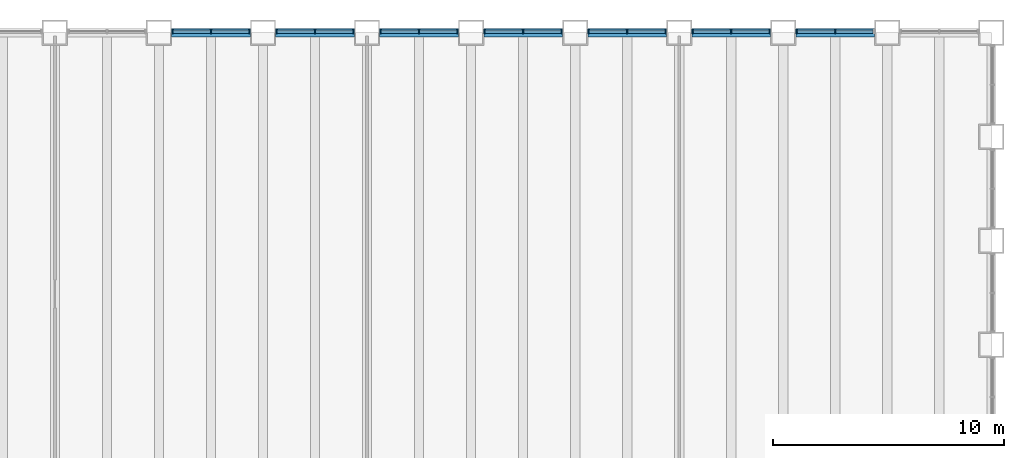
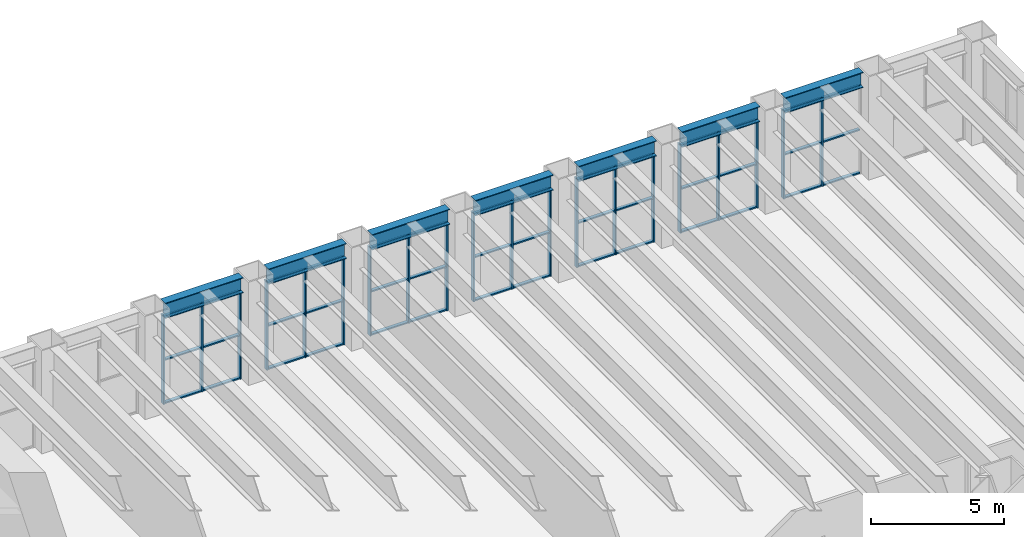
# One storey, part 4 of 19: 62 members, 7 beams, 7 elements without a shape of their own.
"""IFC4 building model written with IfcOpenShell, lengths in metres."""

from ifc_helpers import new_model, si_unit, direction, frame, origin, origin_2d, place, context, subcontext, project, spatial, rectangle, i_section, extrude, material, material_profile, profile_set, type_object, element, aggregate, save


model = new_model("IFC4")

# Units and contexts
model_context = context("Model", 3, precision=1e-05, world=origin(), true_north=direction((0.0, 1.0)))
body_context = subcontext(model_context, "Body", "Model", "MODEL_VIEW")
ifc_project = project(units=[si_unit("LENGTHUNIT", "METRE"), si_unit("AREAUNIT", "SQUARE_METRE"), si_unit("VOLUMEUNIT", "CUBIC_METRE"), si_unit("PLANEANGLEUNIT", "RADIAN"), si_unit("MASSUNIT", "GRAM", prefix="KILO")], contexts=[model_context])

# Site, building, storey
site_placement = place(None, origin())
site = spatial("IfcSite", under=ifc_project, at=site_placement, CompositionType="ELEMENT")
building_placement = place(site_placement, origin())
building = spatial("IfcBuilding", under=site, at=building_placement, Name="Sennacour Bend Tower", CompositionType="ELEMENT")
storey_placement = place(building_placement, frame((0.0, 0.0, 19.0)))
storey = spatial("IfcBuildingStorey", under=building, at=storey_placement, Name="L03", CompositionType="ELEMENT", Elevation=19.0)

# Curtain wall, members
ifc_material_1 = material(Name="Bronze anodised aluminium curtain wall with clear glass", Category="aluminium")
curtain_wall_type = type_object("IfcCurtainWallType", Name="CURTAIN WALL NOTCH", PredefinedType="NOTDEFINED", material=ifc_material_1)
curtain_wall_1_placement = place(storey_placement, origin())
curtain_wall_1 = element("IfcCurtainWall", 1, at=curtain_wall_1_placement, inside=storey, type_object=curtain_wall_type, Name="Podium glass wall L03", PredefinedType="NOTDEFINED")
ifc_material_2 = material(Name="Aluminium 6063-T6", Category="aluminium")
ifc_material_profile_1 = material_profile(ifc_material_2, rectangle(XDim=0.199951171875, YDim=0.06005859375, at=origin_2d()), Name="Aluminium 6063-T6", Category="aluminium")
ifc_profile_set_1 = profile_set([ifc_material_profile_1], Name="Aluminium 6063-T6")
member_type_1 = type_object("IfcMemberType", Name="CW-MULLION-200X60", PredefinedType="MULLION", material=ifc_profile_set_1)
member_1_placement = place(storey_placement, frame((60.75, 49.550048828125, 0.0), z_axis=(0.0, 0.0, 1.0), x_axis=(0.0, -1.0, 0.0)))
member_1 = element("IfcMember", 2, at=member_1_placement, type_object=member_type_1, Name="GW2 curtain wall mullion 2", PredefinedType="MULLION", context=body_context, shape_type="SweptSolid", body=[
    extrude(rectangle(XDim=0.199951171875, YDim=0.06005859375, at=origin_2d()), origin(), (0.0, 0.0, 1.0), 4.035888671875),
])
member_2_placement = place(storey_placement, frame((59.080078125, 49.550048828125, 0.0), z_axis=(0.0, 0.0, 1.0), x_axis=(0.0, -1.0, 0.0)))
member_2 = element("IfcMember", 3, at=member_2_placement, type_object=member_type_1, Name="GW2 curtain wall mullion 3", PredefinedType="MULLION", context=body_context, shape_type="SweptSolid", body=[
    extrude(rectangle(XDim=0.199951171875, YDim=0.06005859375, at=origin_2d()), origin(), (0.0, 0.0, 1.0), 4.035888671875),
])

curtain_wall_2_placement = place(storey_placement, origin())
curtain_wall_2 = element("IfcCurtainWall", 4, at=curtain_wall_2_placement, inside=storey, type_object=curtain_wall_type, Name="Podium glass wall L03", PredefinedType="NOTDEFINED")
member_3_placement = place(storey_placement, frame((57.919921875, 49.550048828125, 0.0), z_axis=(0.0, 0.0, 1.0), x_axis=(0.0, -1.0, 0.0)))
member_3 = element("IfcMember", 5, at=member_3_placement, type_object=member_type_1, Name="GW2 curtain wall mullion 1", PredefinedType="MULLION", context=body_context, shape_type="SweptSolid", body=[
    extrude(rectangle(XDim=0.199951171875, YDim=0.06005859375, at=origin_2d()), origin(), (0.0, 0.0, 1.0), 4.035888671875),
])
member_4_placement = place(storey_placement, frame((56.25, 49.550048828125, 0.0), z_axis=(0.0, 0.0, 1.0), x_axis=(0.0, -1.0, 0.0)))
member_4 = element("IfcMember", 6, at=member_4_placement, type_object=member_type_1, Name="GW2 curtain wall mullion 2", PredefinedType="MULLION", context=body_context, shape_type="SweptSolid", body=[
    extrude(rectangle(XDim=0.199951171875, YDim=0.06005859375, at=origin_2d()), origin(), (0.0, 0.0, 1.0), 4.035888671875),
])
member_5_placement = place(storey_placement, frame((54.580078125, 49.550048828125, 0.0), z_axis=(0.0, 0.0, 1.0), x_axis=(0.0, -1.0, 0.0)))
member_5 = element("IfcMember", 7, at=member_5_placement, type_object=member_type_1, Name="GW2 curtain wall mullion 3", PredefinedType="MULLION", context=body_context, shape_type="SweptSolid", body=[
    extrude(rectangle(XDim=0.199951171875, YDim=0.06005859375, at=origin_2d()), origin(), (0.0, 0.0, 1.0), 4.035888671875),
])

curtain_wall_3_placement = place(storey_placement, origin())
curtain_wall_3 = element("IfcCurtainWall", 8, at=curtain_wall_3_placement, inside=storey, type_object=curtain_wall_type, Name="Podium glass wall L03", PredefinedType="NOTDEFINED")
member_6_placement = place(storey_placement, frame((53.419921875, 49.550048828125, 0.0), z_axis=(0.0, 0.0, 1.0), x_axis=(0.0, -1.0, 0.0)))
member_6 = element("IfcMember", 9, at=member_6_placement, type_object=member_type_1, Name="GW2 curtain wall mullion 1", PredefinedType="MULLION", context=body_context, shape_type="SweptSolid", body=[
    extrude(rectangle(XDim=0.199951171875, YDim=0.06005859375, at=origin_2d()), origin(), (0.0, 0.0, 1.0), 4.035888671875),
])
member_7_placement = place(storey_placement, frame((51.75, 49.550048828125, 0.0), z_axis=(0.0, 0.0, 1.0), x_axis=(0.0, -1.0, 0.0)))
member_7 = element("IfcMember", 10, at=member_7_placement, type_object=member_type_1, Name="GW2 curtain wall mullion 2", PredefinedType="MULLION", context=body_context, shape_type="SweptSolid", body=[
    extrude(rectangle(XDim=0.199951171875, YDim=0.06005859375, at=origin_2d()), origin(), (0.0, 0.0, 1.0), 4.035888671875),
])
member_8_placement = place(storey_placement, frame((50.080078125, 49.550048828125, 0.0), z_axis=(0.0, 0.0, 1.0), x_axis=(0.0, -1.0, 0.0)))
member_8 = element("IfcMember", 11, at=member_8_placement, type_object=member_type_1, Name="GW2 curtain wall mullion 3", PredefinedType="MULLION", context=body_context, shape_type="SweptSolid", body=[
    extrude(rectangle(XDim=0.199951171875, YDim=0.06005859375, at=origin_2d()), origin(), (0.0, 0.0, 1.0), 4.035888671875),
])

curtain_wall_4_placement = place(storey_placement, origin())
curtain_wall_4 = element("IfcCurtainWall", 12, at=curtain_wall_4_placement, inside=storey, type_object=curtain_wall_type, Name="Podium glass wall L03", PredefinedType="NOTDEFINED")
member_9_placement = place(storey_placement, frame((48.919921875, 49.550048828125, 0.0), z_axis=(0.0, 0.0, 1.0), x_axis=(0.0, -1.0, 0.0)))
member_9 = element("IfcMember", 13, at=member_9_placement, type_object=member_type_1, Name="GW2 curtain wall mullion 1", PredefinedType="MULLION", context=body_context, shape_type="SweptSolid", body=[
    extrude(rectangle(XDim=0.199951171875, YDim=0.06005859375, at=origin_2d()), origin(), (0.0, 0.0, 1.0), 4.035888671875),
])
member_10_placement = place(storey_placement, frame((47.25, 49.550048828125, 0.0), z_axis=(0.0, 0.0, 1.0), x_axis=(0.0, -1.0, 0.0)))
member_10 = element("IfcMember", 14, at=member_10_placement, type_object=member_type_1, Name="GW2 curtain wall mullion 2", PredefinedType="MULLION", context=body_context, shape_type="SweptSolid", body=[
    extrude(rectangle(XDim=0.199951171875, YDim=0.06005859375, at=origin_2d()), origin(), (0.0, 0.0, 1.0), 4.035888671875),
])
member_11_placement = place(storey_placement, frame((45.580078125, 49.550048828125, 0.0), z_axis=(0.0, 0.0, 1.0), x_axis=(0.0, -1.0, 0.0)))
member_11 = element("IfcMember", 15, at=member_11_placement, type_object=member_type_1, Name="GW2 curtain wall mullion 3", PredefinedType="MULLION", context=body_context, shape_type="SweptSolid", body=[
    extrude(rectangle(XDim=0.199951171875, YDim=0.06005859375, at=origin_2d()), origin(), (0.0, 0.0, 1.0), 4.035888671875),
])

curtain_wall_5_placement = place(storey_placement, origin())
curtain_wall_5 = element("IfcCurtainWall", 16, at=curtain_wall_5_placement, inside=storey, type_object=curtain_wall_type, Name="Podium glass wall L03", PredefinedType="NOTDEFINED")
member_12_placement = place(storey_placement, frame((44.419921875, 49.550048828125, 0.0), z_axis=(0.0, 0.0, 1.0), x_axis=(0.0, -1.0, 0.0)))
member_12 = element("IfcMember", 17, at=member_12_placement, type_object=member_type_1, Name="GW2 curtain wall mullion 1", PredefinedType="MULLION", context=body_context, shape_type="SweptSolid", body=[
    extrude(rectangle(XDim=0.199951171875, YDim=0.06005859375, at=origin_2d()), origin(), (0.0, 0.0, 1.0), 4.035888671875),
])
member_13_placement = place(storey_placement, frame((42.75, 49.550048828125, 0.0), z_axis=(0.0, 0.0, 1.0), x_axis=(0.0, -1.0, 0.0)))
member_13 = element("IfcMember", 18, at=member_13_placement, type_object=member_type_1, Name="GW2 curtain wall mullion 2", PredefinedType="MULLION", context=body_context, shape_type="SweptSolid", body=[
    extrude(rectangle(XDim=0.199951171875, YDim=0.06005859375, at=origin_2d()), origin(), (0.0, 0.0, 1.0), 4.035888671875),
])
member_14_placement = place(storey_placement, frame((41.080078125, 49.550048828125, 0.0), z_axis=(0.0, 0.0, 1.0), x_axis=(0.0, -1.0, 0.0)))
member_14 = element("IfcMember", 19, at=member_14_placement, type_object=member_type_1, Name="GW2 curtain wall mullion 3", PredefinedType="MULLION", context=body_context, shape_type="SweptSolid", body=[
    extrude(rectangle(XDim=0.199951171875, YDim=0.06005859375, at=origin_2d()), origin(), (0.0, 0.0, 1.0), 4.035888671875),
])

curtain_wall_6_placement = place(storey_placement, origin())
curtain_wall_6 = element("IfcCurtainWall", 20, at=curtain_wall_6_placement, inside=storey, type_object=curtain_wall_type, Name="Podium glass wall L03", PredefinedType="NOTDEFINED")
member_15_placement = place(storey_placement, frame((39.919921875, 49.550048828125, 0.0), z_axis=(0.0, 0.0, 1.0), x_axis=(0.0, -1.0, 0.0)))
member_15 = element("IfcMember", 21, at=member_15_placement, type_object=member_type_1, Name="GW2 curtain wall mullion 1", PredefinedType="MULLION", context=body_context, shape_type="SweptSolid", body=[
    extrude(rectangle(XDim=0.199951171875, YDim=0.06005859375, at=origin_2d()), origin(), (0.0, 0.0, 1.0), 4.035888671875),
])
member_16_placement = place(storey_placement, frame((38.25, 49.550048828125, 0.0), z_axis=(0.0, 0.0, 1.0), x_axis=(0.0, -1.0, 0.0)))
member_16 = element("IfcMember", 22, at=member_16_placement, type_object=member_type_1, Name="GW2 curtain wall mullion 2", PredefinedType="MULLION", context=body_context, shape_type="SweptSolid", body=[
    extrude(rectangle(XDim=0.199951171875, YDim=0.06005859375, at=origin_2d()), origin(), (0.0, 0.0, 1.0), 4.035888671875),
])
member_17_placement = place(storey_placement, frame((36.580078125, 49.550048828125, 0.0), z_axis=(0.0, 0.0, 1.0), x_axis=(0.0, -1.0, 0.0)))
member_17 = element("IfcMember", 23, at=member_17_placement, type_object=member_type_1, Name="GW2 curtain wall mullion 3", PredefinedType="MULLION", context=body_context, shape_type="SweptSolid", body=[
    extrude(rectangle(XDim=0.199951171875, YDim=0.06005859375, at=origin_2d()), origin(), (0.0, 0.0, 1.0), 4.035888671875),
])

curtain_wall_7_placement = place(storey_placement, origin())
curtain_wall_7 = element("IfcCurtainWall", 24, at=curtain_wall_7_placement, inside=storey, type_object=curtain_wall_type, Name="Podium glass wall L03", PredefinedType="NOTDEFINED")
member_18_placement = place(storey_placement, frame((35.419921875, 49.550048828125, 0.0), z_axis=(0.0, 0.0, 1.0), x_axis=(0.0, -1.0, 0.0)))
member_18 = element("IfcMember", 25, at=member_18_placement, type_object=member_type_1, Name="GW2 curtain wall mullion 1", PredefinedType="MULLION", context=body_context, shape_type="SweptSolid", body=[
    extrude(rectangle(XDim=0.199951171875, YDim=0.06005859375, at=origin_2d()), origin(), (0.0, 0.0, 1.0), 4.035888671875),
])
member_19_placement = place(storey_placement, frame((33.75, 49.550048828125, 0.0), z_axis=(0.0, 0.0, 1.0), x_axis=(0.0, -1.0, 0.0)))
member_19 = element("IfcMember", 26, at=member_19_placement, type_object=member_type_1, Name="GW2 curtain wall mullion 2", PredefinedType="MULLION", context=body_context, shape_type="SweptSolid", body=[
    extrude(rectangle(XDim=0.199951171875, YDim=0.06005859375, at=origin_2d()), origin(), (0.0, 0.0, 1.0), 4.035888671875),
])
member_20_placement = place(storey_placement, frame((32.080078125, 49.550048828125, 0.0), z_axis=(0.0, 0.0, 1.0), x_axis=(0.0, -1.0, 0.0)))
member_20 = element("IfcMember", 27, at=member_20_placement, type_object=member_type_1, Name="GW2 curtain wall mullion 3", PredefinedType="MULLION", context=body_context, shape_type="SweptSolid", body=[
    extrude(rectangle(XDim=0.199951171875, YDim=0.06005859375, at=origin_2d()), origin(), (0.0, 0.0, 1.0), 4.035888671875),
])

# Member
ifc_material_profile_2 = material_profile(ifc_material_2, rectangle(XDim=0.14990234375, YDim=0.06005859375, at=origin_2d()), Name="Aluminium 6063-T6", Category="aluminium")
ifc_profile_set_2 = profile_set([ifc_material_profile_2], Name="Aluminium 6063-T6")
member_type_2 = type_object("IfcMemberType", Name="CW-TRANSOM-150X60", PredefinedType="USERDEFINED", material=ifc_profile_set_2)
member_21_placement = place(storey_placement, frame((62.389892578125, 49.550048828125, 0.030029296875), z_axis=(-1.0, 0.0, 0.0), x_axis=(0.0, -1.0, 0.0)))
member_21 = element("IfcMember", 28, at=member_21_placement, type_object=member_type_2, Name="GW2 curtain wall transom 1.1", ObjectType="TRANSOM", PredefinedType="USERDEFINED", context=body_context, shape_type="SweptSolid", body=[
    extrude(rectangle(XDim=0.14990234375, YDim=0.06005859375, at=origin_2d()), origin(), (0.0, 0.0, 1.0), 1.60986328125),
])

member_22_placement = place(storey_placement, frame((62.389892578125, 49.550048828125, 2.01806640625), z_axis=(-1.0, 0.0, 0.0), x_axis=(0.0, -1.0, 0.0)))
member_22 = element("IfcMember", 29, at=member_22_placement, type_object=member_type_2, Name="GW2 curtain wall transom 1.2", ObjectType="TRANSOM", PredefinedType="USERDEFINED", context=body_context, shape_type="SweptSolid", body=[
    extrude(rectangle(XDim=0.14990234375, YDim=0.06005859375, at=origin_2d()), origin(), (0.0, 0.0, 1.0), 1.60986328125),
])

member_23_placement = place(storey_placement, frame((62.389892578125, 49.550048828125, 4.006103515625), z_axis=(-1.0, 0.0, 0.0), x_axis=(0.0, -1.0, 0.0)))
member_23 = element("IfcMember", 30, at=member_23_placement, type_object=member_type_2, Name="GW2 curtain wall transom 1.3", ObjectType="TRANSOM", PredefinedType="USERDEFINED", context=body_context, shape_type="SweptSolid", body=[
    extrude(rectangle(XDim=0.14990234375, YDim=0.06005859375, at=origin_2d()), origin(), (0.0, 0.0, 1.0), 1.60986328125),
])

member_24_placement = place(storey_placement, frame((60.719970703125, 49.550048828125, 0.030029296875), z_axis=(-1.0, 0.0, 0.0), x_axis=(0.0, -1.0, 0.0)))
member_24 = element("IfcMember", 31, at=member_24_placement, type_object=member_type_2, Name="GW2 curtain wall transom 2.1", ObjectType="TRANSOM", PredefinedType="USERDEFINED", context=body_context, shape_type="SweptSolid", body=[
    extrude(rectangle(XDim=0.14990234375, YDim=0.06005859375, at=origin_2d()), origin(), (0.0, 0.0, 1.0), 1.60986328125),
])

member_25_placement = place(storey_placement, frame((60.719970703125, 49.550048828125, 2.01806640625), z_axis=(-1.0, 0.0, 0.0), x_axis=(0.0, -1.0, 0.0)))
member_25 = element("IfcMember", 32, at=member_25_placement, type_object=member_type_2, Name="GW2 curtain wall transom 2.2", ObjectType="TRANSOM", PredefinedType="USERDEFINED", context=body_context, shape_type="SweptSolid", body=[
    extrude(rectangle(XDim=0.14990234375, YDim=0.06005859375, at=origin_2d()), origin(), (0.0, 0.0, 1.0), 1.60986328125),
])

member_26_placement = place(storey_placement, frame((60.719970703125, 49.550048828125, 4.006103515625), z_axis=(-1.0, 0.0, 0.0), x_axis=(0.0, -1.0, 0.0)))
member_26 = element("IfcMember", 33, at=member_26_placement, type_object=member_type_2, Name="GW2 curtain wall transom 2.3", ObjectType="TRANSOM", PredefinedType="USERDEFINED", context=body_context, shape_type="SweptSolid", body=[
    extrude(rectangle(XDim=0.14990234375, YDim=0.06005859375, at=origin_2d()), origin(), (0.0, 0.0, 1.0), 1.60986328125),
])

aggregate(curtain_wall_1, [member_1, member_2, member_21, member_22, member_23, member_24, member_25, member_26])

member_27_placement = place(storey_placement, frame((57.889892578125, 49.550048828125, 0.030029296875), z_axis=(-1.0, 0.0, 0.0), x_axis=(0.0, -1.0, 0.0)))
member_27 = element("IfcMember", 34, at=member_27_placement, type_object=member_type_2, Name="GW2 curtain wall transom 1.1", ObjectType="TRANSOM", PredefinedType="USERDEFINED", context=body_context, shape_type="SweptSolid", body=[
    extrude(rectangle(XDim=0.14990234375, YDim=0.06005859375, at=origin_2d()), origin(), (0.0, 0.0, 1.0), 1.60986328125),
])

member_28_placement = place(storey_placement, frame((57.889892578125, 49.550048828125, 2.01806640625), z_axis=(-1.0, 0.0, 0.0), x_axis=(0.0, -1.0, 0.0)))
member_28 = element("IfcMember", 35, at=member_28_placement, type_object=member_type_2, Name="GW2 curtain wall transom 1.2", ObjectType="TRANSOM", PredefinedType="USERDEFINED", context=body_context, shape_type="SweptSolid", body=[
    extrude(rectangle(XDim=0.14990234375, YDim=0.06005859375, at=origin_2d()), origin(), (0.0, 0.0, 1.0), 1.60986328125),
])

member_29_placement = place(storey_placement, frame((57.889892578125, 49.550048828125, 4.006103515625), z_axis=(-1.0, 0.0, 0.0), x_axis=(0.0, -1.0, 0.0)))
member_29 = element("IfcMember", 36, at=member_29_placement, type_object=member_type_2, Name="GW2 curtain wall transom 1.3", ObjectType="TRANSOM", PredefinedType="USERDEFINED", context=body_context, shape_type="SweptSolid", body=[
    extrude(rectangle(XDim=0.14990234375, YDim=0.06005859375, at=origin_2d()), origin(), (0.0, 0.0, 1.0), 1.60986328125),
])

member_30_placement = place(storey_placement, frame((56.219970703125, 49.550048828125, 0.030029296875), z_axis=(-1.0, 0.0, 0.0), x_axis=(0.0, -1.0, 0.0)))
member_30 = element("IfcMember", 37, at=member_30_placement, type_object=member_type_2, Name="GW2 curtain wall transom 2.1", ObjectType="TRANSOM", PredefinedType="USERDEFINED", context=body_context, shape_type="SweptSolid", body=[
    extrude(rectangle(XDim=0.14990234375, YDim=0.06005859375, at=origin_2d()), origin(), (0.0, 0.0, 1.0), 1.60986328125),
])

member_31_placement = place(storey_placement, frame((56.219970703125, 49.550048828125, 2.01806640625), z_axis=(-1.0, 0.0, 0.0), x_axis=(0.0, -1.0, 0.0)))
member_31 = element("IfcMember", 38, at=member_31_placement, type_object=member_type_2, Name="GW2 curtain wall transom 2.2", ObjectType="TRANSOM", PredefinedType="USERDEFINED", context=body_context, shape_type="SweptSolid", body=[
    extrude(rectangle(XDim=0.14990234375, YDim=0.06005859375, at=origin_2d()), origin(), (0.0, 0.0, 1.0), 1.60986328125),
])

member_32_placement = place(storey_placement, frame((56.219970703125, 49.550048828125, 4.006103515625), z_axis=(-1.0, 0.0, 0.0), x_axis=(0.0, -1.0, 0.0)))
member_32 = element("IfcMember", 39, at=member_32_placement, type_object=member_type_2, Name="GW2 curtain wall transom 2.3", ObjectType="TRANSOM", PredefinedType="USERDEFINED", context=body_context, shape_type="SweptSolid", body=[
    extrude(rectangle(XDim=0.14990234375, YDim=0.06005859375, at=origin_2d()), origin(), (0.0, 0.0, 1.0), 1.60986328125),
])

aggregate(curtain_wall_2, [member_3, member_4, member_5, member_27, member_28, member_29, member_30, member_31, member_32])

member_33_placement = place(storey_placement, frame((53.389892578125, 49.550048828125, 0.030029296875), z_axis=(-1.0, 0.0, 0.0), x_axis=(0.0, -1.0, 0.0)))
member_33 = element("IfcMember", 40, at=member_33_placement, type_object=member_type_2, Name="GW2 curtain wall transom 1.1", ObjectType="TRANSOM", PredefinedType="USERDEFINED", context=body_context, shape_type="SweptSolid", body=[
    extrude(rectangle(XDim=0.14990234375, YDim=0.06005859375, at=origin_2d()), origin(), (0.0, 0.0, 1.0), 1.60986328125),
])

member_34_placement = place(storey_placement, frame((53.389892578125, 49.550048828125, 2.01806640625), z_axis=(-1.0, 0.0, 0.0), x_axis=(0.0, -1.0, 0.0)))
member_34 = element("IfcMember", 41, at=member_34_placement, type_object=member_type_2, Name="GW2 curtain wall transom 1.2", ObjectType="TRANSOM", PredefinedType="USERDEFINED", context=body_context, shape_type="SweptSolid", body=[
    extrude(rectangle(XDim=0.14990234375, YDim=0.06005859375, at=origin_2d()), origin(), (0.0, 0.0, 1.0), 1.60986328125),
])

member_35_placement = place(storey_placement, frame((53.389892578125, 49.550048828125, 4.006103515625), z_axis=(-1.0, 0.0, 0.0), x_axis=(0.0, -1.0, 0.0)))
member_35 = element("IfcMember", 42, at=member_35_placement, type_object=member_type_2, Name="GW2 curtain wall transom 1.3", ObjectType="TRANSOM", PredefinedType="USERDEFINED", context=body_context, shape_type="SweptSolid", body=[
    extrude(rectangle(XDim=0.14990234375, YDim=0.06005859375, at=origin_2d()), origin(), (0.0, 0.0, 1.0), 1.60986328125),
])

member_36_placement = place(storey_placement, frame((51.719970703125, 49.550048828125, 0.030029296875), z_axis=(-1.0, 0.0, 0.0), x_axis=(0.0, -1.0, 0.0)))
member_36 = element("IfcMember", 43, at=member_36_placement, type_object=member_type_2, Name="GW2 curtain wall transom 2.1", ObjectType="TRANSOM", PredefinedType="USERDEFINED", context=body_context, shape_type="SweptSolid", body=[
    extrude(rectangle(XDim=0.14990234375, YDim=0.06005859375, at=origin_2d()), origin(), (0.0, 0.0, 1.0), 1.60986328125),
])

member_37_placement = place(storey_placement, frame((51.719970703125, 49.550048828125, 2.01806640625), z_axis=(-1.0, 0.0, 0.0), x_axis=(0.0, -1.0, 0.0)))
member_37 = element("IfcMember", 44, at=member_37_placement, type_object=member_type_2, Name="GW2 curtain wall transom 2.2", ObjectType="TRANSOM", PredefinedType="USERDEFINED", context=body_context, shape_type="SweptSolid", body=[
    extrude(rectangle(XDim=0.14990234375, YDim=0.06005859375, at=origin_2d()), origin(), (0.0, 0.0, 1.0), 1.60986328125),
])

member_38_placement = place(storey_placement, frame((51.719970703125, 49.550048828125, 4.006103515625), z_axis=(-1.0, 0.0, 0.0), x_axis=(0.0, -1.0, 0.0)))
member_38 = element("IfcMember", 45, at=member_38_placement, type_object=member_type_2, Name="GW2 curtain wall transom 2.3", ObjectType="TRANSOM", PredefinedType="USERDEFINED", context=body_context, shape_type="SweptSolid", body=[
    extrude(rectangle(XDim=0.14990234375, YDim=0.06005859375, at=origin_2d()), origin(), (0.0, 0.0, 1.0), 1.60986328125),
])

aggregate(curtain_wall_3, [member_6, member_7, member_8, member_33, member_34, member_35, member_36, member_37, member_38])

member_39_placement = place(storey_placement, frame((48.889892578125, 49.550048828125, 0.030029296875), z_axis=(-1.0, 0.0, 0.0), x_axis=(0.0, -1.0, 0.0)))
member_39 = element("IfcMember", 46, at=member_39_placement, type_object=member_type_2, Name="GW2 curtain wall transom 1.1", ObjectType="TRANSOM", PredefinedType="USERDEFINED", context=body_context, shape_type="SweptSolid", body=[
    extrude(rectangle(XDim=0.14990234375, YDim=0.06005859375, at=origin_2d()), origin(), (0.0, 0.0, 1.0), 1.60986328125),
])

member_40_placement = place(storey_placement, frame((48.889892578125, 49.550048828125, 2.01806640625), z_axis=(-1.0, 0.0, 0.0), x_axis=(0.0, -1.0, 0.0)))
member_40 = element("IfcMember", 47, at=member_40_placement, type_object=member_type_2, Name="GW2 curtain wall transom 1.2", ObjectType="TRANSOM", PredefinedType="USERDEFINED", context=body_context, shape_type="SweptSolid", body=[
    extrude(rectangle(XDim=0.14990234375, YDim=0.06005859375, at=origin_2d()), origin(), (0.0, 0.0, 1.0), 1.60986328125),
])

member_41_placement = place(storey_placement, frame((48.889892578125, 49.550048828125, 4.006103515625), z_axis=(-1.0, 0.0, 0.0), x_axis=(0.0, -1.0, 0.0)))
member_41 = element("IfcMember", 48, at=member_41_placement, type_object=member_type_2, Name="GW2 curtain wall transom 1.3", ObjectType="TRANSOM", PredefinedType="USERDEFINED", context=body_context, shape_type="SweptSolid", body=[
    extrude(rectangle(XDim=0.14990234375, YDim=0.06005859375, at=origin_2d()), origin(), (0.0, 0.0, 1.0), 1.60986328125),
])

member_42_placement = place(storey_placement, frame((47.219970703125, 49.550048828125, 0.030029296875), z_axis=(-1.0, 0.0, 0.0), x_axis=(0.0, -1.0, 0.0)))
member_42 = element("IfcMember", 49, at=member_42_placement, type_object=member_type_2, Name="GW2 curtain wall transom 2.1", ObjectType="TRANSOM", PredefinedType="USERDEFINED", context=body_context, shape_type="SweptSolid", body=[
    extrude(rectangle(XDim=0.14990234375, YDim=0.06005859375, at=origin_2d()), origin(), (0.0, 0.0, 1.0), 1.60986328125),
])

member_43_placement = place(storey_placement, frame((47.219970703125, 49.550048828125, 2.01806640625), z_axis=(-1.0, 0.0, 0.0), x_axis=(0.0, -1.0, 0.0)))
member_43 = element("IfcMember", 50, at=member_43_placement, type_object=member_type_2, Name="GW2 curtain wall transom 2.2", ObjectType="TRANSOM", PredefinedType="USERDEFINED", context=body_context, shape_type="SweptSolid", body=[
    extrude(rectangle(XDim=0.14990234375, YDim=0.06005859375, at=origin_2d()), origin(), (0.0, 0.0, 1.0), 1.60986328125),
])

member_44_placement = place(storey_placement, frame((47.219970703125, 49.550048828125, 4.006103515625), z_axis=(-1.0, 0.0, 0.0), x_axis=(0.0, -1.0, 0.0)))
member_44 = element("IfcMember", 51, at=member_44_placement, type_object=member_type_2, Name="GW2 curtain wall transom 2.3", ObjectType="TRANSOM", PredefinedType="USERDEFINED", context=body_context, shape_type="SweptSolid", body=[
    extrude(rectangle(XDim=0.14990234375, YDim=0.06005859375, at=origin_2d()), origin(), (0.0, 0.0, 1.0), 1.60986328125),
])

aggregate(curtain_wall_4, [member_9, member_10, member_11, member_39, member_40, member_41, member_42, member_43, member_44])

member_45_placement = place(storey_placement, frame((44.389892578125, 49.550048828125, 0.030029296875), z_axis=(-1.0, 0.0, 0.0), x_axis=(0.0, -1.0, 0.0)))
member_45 = element("IfcMember", 52, at=member_45_placement, type_object=member_type_2, Name="GW2 curtain wall transom 1.1", ObjectType="TRANSOM", PredefinedType="USERDEFINED", context=body_context, shape_type="SweptSolid", body=[
    extrude(rectangle(XDim=0.14990234375, YDim=0.06005859375, at=origin_2d()), origin(), (0.0, 0.0, 1.0), 1.60986328125),
])

member_46_placement = place(storey_placement, frame((44.389892578125, 49.550048828125, 2.01806640625), z_axis=(-1.0, 0.0, 0.0), x_axis=(0.0, -1.0, 0.0)))
member_46 = element("IfcMember", 53, at=member_46_placement, type_object=member_type_2, Name="GW2 curtain wall transom 1.2", ObjectType="TRANSOM", PredefinedType="USERDEFINED", context=body_context, shape_type="SweptSolid", body=[
    extrude(rectangle(XDim=0.14990234375, YDim=0.06005859375, at=origin_2d()), origin(), (0.0, 0.0, 1.0), 1.60986328125),
])

member_47_placement = place(storey_placement, frame((44.389892578125, 49.550048828125, 4.006103515625), z_axis=(-1.0, 0.0, 0.0), x_axis=(0.0, -1.0, 0.0)))
member_47 = element("IfcMember", 54, at=member_47_placement, type_object=member_type_2, Name="GW2 curtain wall transom 1.3", ObjectType="TRANSOM", PredefinedType="USERDEFINED", context=body_context, shape_type="SweptSolid", body=[
    extrude(rectangle(XDim=0.14990234375, YDim=0.06005859375, at=origin_2d()), origin(), (0.0, 0.0, 1.0), 1.60986328125),
])

member_48_placement = place(storey_placement, frame((42.719970703125, 49.550048828125, 0.030029296875), z_axis=(-1.0, 0.0, 0.0), x_axis=(0.0, -1.0, 0.0)))
member_48 = element("IfcMember", 55, at=member_48_placement, type_object=member_type_2, Name="GW2 curtain wall transom 2.1", ObjectType="TRANSOM", PredefinedType="USERDEFINED", context=body_context, shape_type="SweptSolid", body=[
    extrude(rectangle(XDim=0.14990234375, YDim=0.06005859375, at=origin_2d()), origin(), (0.0, 0.0, 1.0), 1.60986328125),
])

member_49_placement = place(storey_placement, frame((42.719970703125, 49.550048828125, 2.01806640625), z_axis=(-1.0, 0.0, 0.0), x_axis=(0.0, -1.0, 0.0)))
member_49 = element("IfcMember", 56, at=member_49_placement, type_object=member_type_2, Name="GW2 curtain wall transom 2.2", ObjectType="TRANSOM", PredefinedType="USERDEFINED", context=body_context, shape_type="SweptSolid", body=[
    extrude(rectangle(XDim=0.14990234375, YDim=0.06005859375, at=origin_2d()), origin(), (0.0, 0.0, 1.0), 1.60986328125),
])

member_50_placement = place(storey_placement, frame((42.719970703125, 49.550048828125, 4.006103515625), z_axis=(-1.0, 0.0, 0.0), x_axis=(0.0, -1.0, 0.0)))
member_50 = element("IfcMember", 57, at=member_50_placement, type_object=member_type_2, Name="GW2 curtain wall transom 2.3", ObjectType="TRANSOM", PredefinedType="USERDEFINED", context=body_context, shape_type="SweptSolid", body=[
    extrude(rectangle(XDim=0.14990234375, YDim=0.06005859375, at=origin_2d()), origin(), (0.0, 0.0, 1.0), 1.60986328125),
])

aggregate(curtain_wall_5, [member_12, member_13, member_14, member_45, member_46, member_47, member_48, member_49, member_50])

member_51_placement = place(storey_placement, frame((39.889892578125, 49.550048828125, 0.030029296875), z_axis=(-1.0, 0.0, 0.0), x_axis=(0.0, -1.0, 0.0)))
member_51 = element("IfcMember", 58, at=member_51_placement, type_object=member_type_2, Name="GW2 curtain wall transom 1.1", ObjectType="TRANSOM", PredefinedType="USERDEFINED", context=body_context, shape_type="SweptSolid", body=[
    extrude(rectangle(XDim=0.14990234375, YDim=0.06005859375, at=origin_2d()), origin(), (0.0, 0.0, 1.0), 1.60986328125),
])

member_52_placement = place(storey_placement, frame((39.889892578125, 49.550048828125, 2.01806640625), z_axis=(-1.0, 0.0, 0.0), x_axis=(0.0, -1.0, 0.0)))
member_52 = element("IfcMember", 59, at=member_52_placement, type_object=member_type_2, Name="GW2 curtain wall transom 1.2", ObjectType="TRANSOM", PredefinedType="USERDEFINED", context=body_context, shape_type="SweptSolid", body=[
    extrude(rectangle(XDim=0.14990234375, YDim=0.06005859375, at=origin_2d()), origin(), (0.0, 0.0, 1.0), 1.60986328125),
])

member_53_placement = place(storey_placement, frame((39.889892578125, 49.550048828125, 4.006103515625), z_axis=(-1.0, 0.0, 0.0), x_axis=(0.0, -1.0, 0.0)))
member_53 = element("IfcMember", 60, at=member_53_placement, type_object=member_type_2, Name="GW2 curtain wall transom 1.3", ObjectType="TRANSOM", PredefinedType="USERDEFINED", context=body_context, shape_type="SweptSolid", body=[
    extrude(rectangle(XDim=0.14990234375, YDim=0.06005859375, at=origin_2d()), origin(), (0.0, 0.0, 1.0), 1.60986328125),
])

member_54_placement = place(storey_placement, frame((38.219970703125, 49.550048828125, 0.030029296875), z_axis=(-1.0, 0.0, 0.0), x_axis=(0.0, -1.0, 0.0)))
member_54 = element("IfcMember", 61, at=member_54_placement, type_object=member_type_2, Name="GW2 curtain wall transom 2.1", ObjectType="TRANSOM", PredefinedType="USERDEFINED", context=body_context, shape_type="SweptSolid", body=[
    extrude(rectangle(XDim=0.14990234375, YDim=0.06005859375, at=origin_2d()), origin(), (0.0, 0.0, 1.0), 1.60986328125),
])

member_55_placement = place(storey_placement, frame((38.219970703125, 49.550048828125, 2.01806640625), z_axis=(-1.0, 0.0, 0.0), x_axis=(0.0, -1.0, 0.0)))
member_55 = element("IfcMember", 62, at=member_55_placement, type_object=member_type_2, Name="GW2 curtain wall transom 2.2", ObjectType="TRANSOM", PredefinedType="USERDEFINED", context=body_context, shape_type="SweptSolid", body=[
    extrude(rectangle(XDim=0.14990234375, YDim=0.06005859375, at=origin_2d()), origin(), (0.0, 0.0, 1.0), 1.60986328125),
])

member_56_placement = place(storey_placement, frame((38.219970703125, 49.550048828125, 4.006103515625), z_axis=(-1.0, 0.0, 0.0), x_axis=(0.0, -1.0, 0.0)))
member_56 = element("IfcMember", 63, at=member_56_placement, type_object=member_type_2, Name="GW2 curtain wall transom 2.3", ObjectType="TRANSOM", PredefinedType="USERDEFINED", context=body_context, shape_type="SweptSolid", body=[
    extrude(rectangle(XDim=0.14990234375, YDim=0.06005859375, at=origin_2d()), origin(), (0.0, 0.0, 1.0), 1.60986328125),
])

aggregate(curtain_wall_6, [member_15, member_16, member_17, member_51, member_52, member_53, member_54, member_55, member_56])

member_57_placement = place(storey_placement, frame((35.389892578125, 49.550048828125, 0.030029296875), z_axis=(-1.0, 0.0, 0.0), x_axis=(0.0, -1.0, 0.0)))
member_57 = element("IfcMember", 64, at=member_57_placement, type_object=member_type_2, Name="GW2 curtain wall transom 1.1", ObjectType="TRANSOM", PredefinedType="USERDEFINED", context=body_context, shape_type="SweptSolid", body=[
    extrude(rectangle(XDim=0.14990234375, YDim=0.06005859375, at=origin_2d()), origin(), (0.0, 0.0, 1.0), 1.60986328125),
])

member_58_placement = place(storey_placement, frame((35.389892578125, 49.550048828125, 2.01806640625), z_axis=(-1.0, 0.0, 0.0), x_axis=(0.0, -1.0, 0.0)))
member_58 = element("IfcMember", 65, at=member_58_placement, type_object=member_type_2, Name="GW2 curtain wall transom 1.2", ObjectType="TRANSOM", PredefinedType="USERDEFINED", context=body_context, shape_type="SweptSolid", body=[
    extrude(rectangle(XDim=0.14990234375, YDim=0.06005859375, at=origin_2d()), origin(), (0.0, 0.0, 1.0), 1.60986328125),
])

member_59_placement = place(storey_placement, frame((35.389892578125, 49.550048828125, 4.006103515625), z_axis=(-1.0, 0.0, 0.0), x_axis=(0.0, -1.0, 0.0)))
member_59 = element("IfcMember", 66, at=member_59_placement, type_object=member_type_2, Name="GW2 curtain wall transom 1.3", ObjectType="TRANSOM", PredefinedType="USERDEFINED", context=body_context, shape_type="SweptSolid", body=[
    extrude(rectangle(XDim=0.14990234375, YDim=0.06005859375, at=origin_2d()), origin(), (0.0, 0.0, 1.0), 1.60986328125),
])

member_60_placement = place(storey_placement, frame((33.719970703125, 49.550048828125, 0.030029296875), z_axis=(-1.0, 0.0, 0.0), x_axis=(0.0, -1.0, 0.0)))
member_60 = element("IfcMember", 67, at=member_60_placement, type_object=member_type_2, Name="GW2 curtain wall transom 2.1", ObjectType="TRANSOM", PredefinedType="USERDEFINED", context=body_context, shape_type="SweptSolid", body=[
    extrude(rectangle(XDim=0.14990234375, YDim=0.06005859375, at=origin_2d()), origin(), (0.0, 0.0, 1.0), 1.60986328125),
])

member_61_placement = place(storey_placement, frame((33.719970703125, 49.550048828125, 2.01806640625), z_axis=(-1.0, 0.0, 0.0), x_axis=(0.0, -1.0, 0.0)))
member_61 = element("IfcMember", 68, at=member_61_placement, type_object=member_type_2, Name="GW2 curtain wall transom 2.2", ObjectType="TRANSOM", PredefinedType="USERDEFINED", context=body_context, shape_type="SweptSolid", body=[
    extrude(rectangle(XDim=0.14990234375, YDim=0.06005859375, at=origin_2d()), origin(), (0.0, 0.0, 1.0), 1.60986328125),
])

member_62_placement = place(storey_placement, frame((33.719970703125, 49.550048828125, 4.006103515625), z_axis=(-1.0, 0.0, 0.0), x_axis=(0.0, -1.0, 0.0)))
member_62 = element("IfcMember", 69, at=member_62_placement, type_object=member_type_2, Name="GW2 curtain wall transom 2.3", ObjectType="TRANSOM", PredefinedType="USERDEFINED", context=body_context, shape_type="SweptSolid", body=[
    extrude(rectangle(XDim=0.14990234375, YDim=0.06005859375, at=origin_2d()), origin(), (0.0, 0.0, 1.0), 1.60986328125),
])

aggregate(curtain_wall_7, [member_18, member_19, member_20, member_57, member_58, member_59, member_60, member_61, member_62])

# Beams
ifc_material_3 = material(Name="Steel ASTM A992 Grade 50", Category="steel")
ifc_material_profile_3 = material_profile(ifc_material_3, i_section(OverallWidth=0.35595703125, OverallDepth=0.714111328125, WebThickness=0.01904296875, FlangeThickness=0.033935546875, FilletRadius=0.02001953125, at=origin_2d()), Name="Steel ASTM A992 Grade 50", Category="steel")
ifc_profile_set_3 = profile_set([ifc_material_profile_3], Name="Steel ASTM A992 Grade 50")
beam_type = type_object("IfcBeamType", Name="Spandrel beam W690X289", PredefinedType="SPANDREL", material=ifc_profile_set_3)
for number, where, z_axis, x_axis, name in (
    (70, (62.449951171875, 49.5, 4.39306640625), (-1.0, 0.0, 0.0), (0.0, -1.0, 0.0), "Spandrel beam SP1 L04-007"),
    (71, (57.949951171875, 49.5, 4.39306640625), (-1.0, 0.0, 0.0), (0.0, -1.0, 0.0), "Spandrel beam SP1 L04-008"),
    (72, (53.449951171875, 49.5, 4.39306640625), (-1.0, 0.0, 0.0), (0.0, -1.0, 0.0), "Spandrel beam SP1 L04-009"),
    (73, (48.949951171875, 49.5, 4.39306640625), (-1.0, 0.0, 0.0), (0.0, -1.0, 0.0), "Spandrel beam SP1 L04-010"),
    (74, (44.449951171875, 49.5, 4.39306640625), (-1.0, 0.0, 0.0), (0.0, -1.0, 0.0), "Spandrel beam SP1 L04-011"),
    (75, (39.949951171875, 49.5, 4.39306640625), (-1.0, 0.0, 0.0), (0.0, -1.0, 0.0), "Spandrel beam SP1 L04-012"),
    (76, (35.449951171875, 49.5, 4.39306640625), (-1.0, 0.0, 0.0), (0.0, -1.0, 0.0), "Spandrel beam SP1 L04-013"),
):
    element("IfcBeam", number, at=place(storey_placement, frame(where, z_axis=z_axis, x_axis=x_axis)), inside=storey, type_object=beam_type, Name=name, PredefinedType="SPANDREL", context=body_context, shape_type="SweptSolid", body=[
        extrude(i_section(OverallWidth=0.35595703125, OverallDepth=0.714111328125, WebThickness=0.01904296875, FlangeThickness=0.033935546875, FilletRadius=0.02001953125, at=origin_2d()), origin(), (0.0, 0.0, 1.0), 3.39990234375),
    ])

save(model, "model.ifc")
